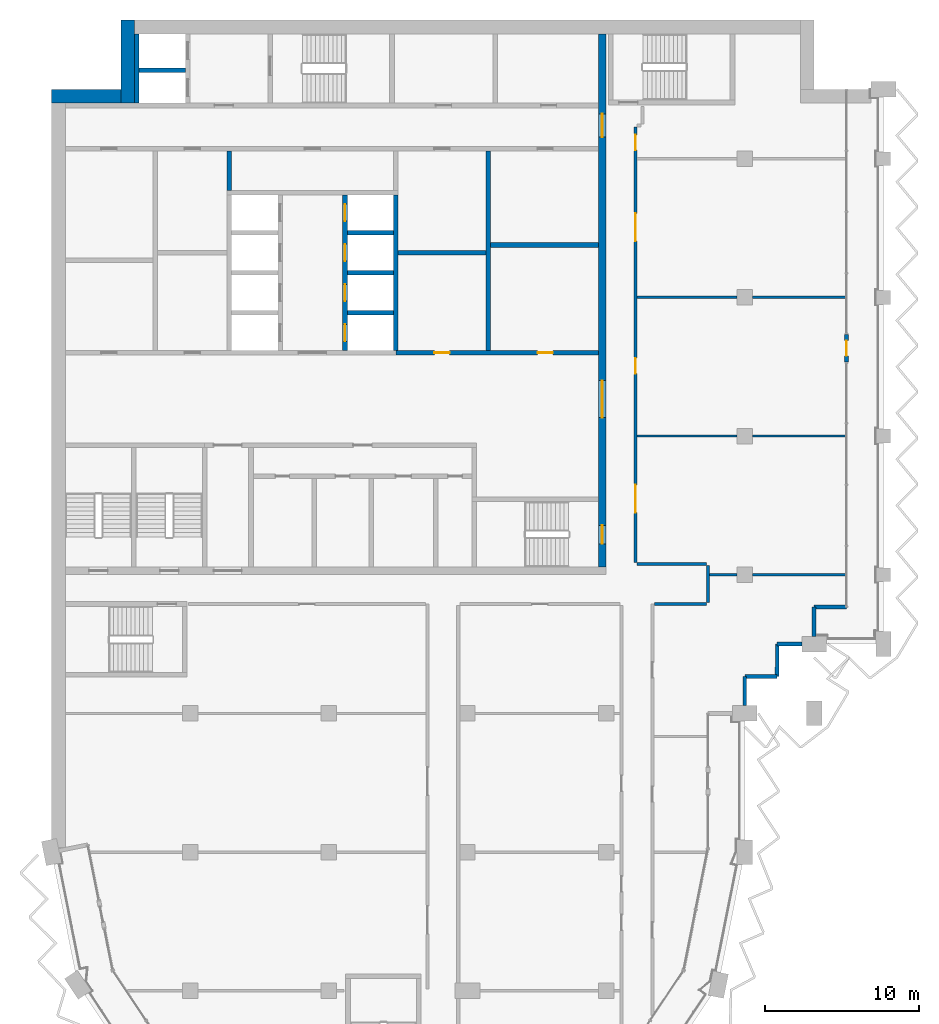
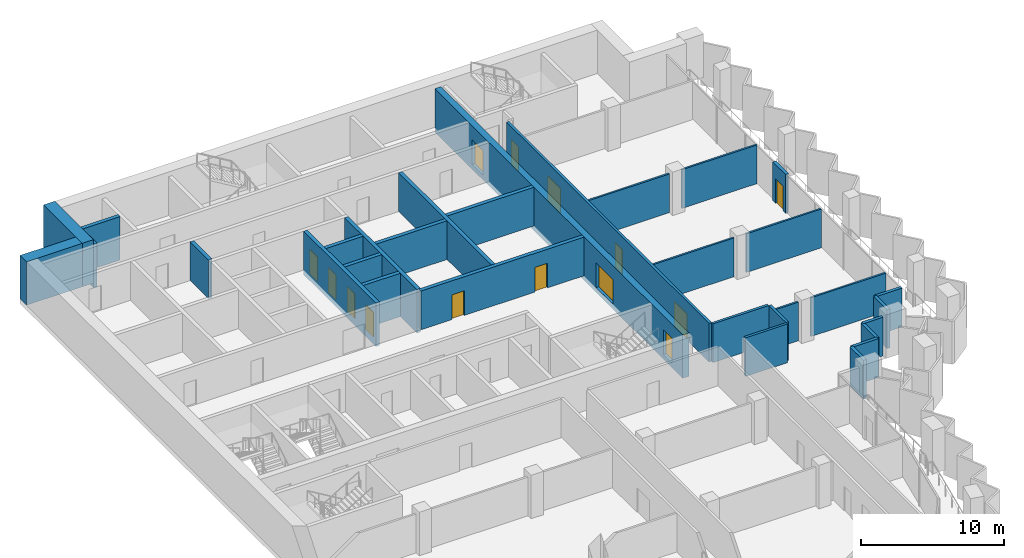
# One storey, part 8 of 15: 32 walls, 14 doors, 14 openings.
"""IFC4 building model written with IfcOpenShell, lengths in metres."""

import ifcopenshell
import ifcopenshell.guid

model = None  # the IFC model being written
_history = None  # IfcOwnerHistory: only IFC2X3 demands one
_inside = {}  # id of a spatial element -> (the spatial element, [elements in it])
_under = {}  # id of a project, library or spatial element -> (it, [spatial elements below it])
_declared = {}  # id of a project -> (the project, [libraries it declares])
_typed = {}  # id of a type object -> (the type object, [elements of that type])
_made_of = {}  # id of a material, layer set ... -> (it, [elements and type objects made of it])


def new_model(schema):
    """Start an empty IFC model of exactly this schema.

    Asked for "IFC4X3", IfcOpenShell would pick the latest addendum, in which some entities
    have other attributes; the version numbers below select the first issue.
    IFC2X3 requires an IfcOwnerHistory on every rooted entity: one is made here for all.
    """
    global model, _history
    if schema == "IFC4X3":
        model = ifcopenshell.file(schema_version=(4, 3, 0, 0))
    else:
        model = ifcopenshell.file(schema=schema)
    _inside.clear()
    _under.clear()
    _declared.clear()
    _typed.clear()
    _made_of.clear()
    _history = None
    if model.schema == "IFC2X3":
        org = make("IfcOrganization", Name="unknown")
        user = make(
            "IfcPersonAndOrganization",
            ThePerson=make("IfcPerson", FamilyName="unknown"),
            TheOrganization=org,
        )
        app = make(
            "IfcApplication",
            ApplicationDeveloper=org,
            Version="unknown",
            ApplicationFullName="unknown",
            ApplicationIdentifier="unknown",
        )
        _history = make(
            "IfcOwnerHistory",
            OwningUser=user,
            OwningApplication=app,
            ChangeAction="ADDED",
            CreationDate=0,
        )
    return model


def make(cls, **values):
    """One entity of the class cls with the attributes given. An attribute that is None is left unset."""
    return model.create_entity(
        cls, **{name: value for name, value in values.items() if value is not None}
    )


def rooted(cls, **values):
    """An entity with a GlobalId (a new one), such as an element, a storey or a relation."""
    return make(cls, GlobalId=ifcopenshell.guid.new(), OwnerHistory=_history, **values)


def si_unit(unit_type, name, prefix=None):
    """IfcSIUnit, for example si_unit("LENGTHUNIT", "METRE", prefix="MILLI")."""
    return make("IfcSIUnit", UnitType=unit_type, Prefix=prefix, Name=name)


def assignment(units):
    """IfcUnitAssignment: the units of a project."""
    return None if units is None else make("IfcUnitAssignment", Units=units)


def point(xyz):
    """IfcCartesianPoint."""
    return None if xyz is None else make("IfcCartesianPoint", Coordinates=xyz)


def direction(xyz):
    """IfcDirection."""
    return None if xyz is None else make("IfcDirection", DirectionRatios=xyz)


def frame(location, z_axis=None, x_axis=None):
    """IfcAxis2Placement3D, a coordinate frame: its origin and axes. An axis left out is left unset."""
    return make(
        "IfcAxis2Placement3D",
        Location=point(location),
        Axis=direction(z_axis),
        RefDirection=direction(x_axis),
    )


def frame_2d(location, x_axis=None):
    """IfcAxis2Placement2D, a coordinate frame in the plane: its origin and x axis."""
    return make(
        "IfcAxis2Placement2D", Location=point(location), RefDirection=direction(x_axis)
    )


def origin():
    """The frame at (0, 0, 0) with its axes left unset."""
    return frame((0.0, 0.0, 0.0))


def place(relative_to, where):
    """IfcLocalPlacement: puts the frame where relative to a parent placement (None: the world)."""
    return make(
        "IfcLocalPlacement", PlacementRelTo=relative_to, RelativePlacement=where
    )


def context(
    kind, dimensions, precision=None, world=None, true_north=None, identifier=None
):
    """IfcGeometricRepresentationContext, for example the 3D "Model" context."""
    return make(
        "IfcGeometricRepresentationContext",
        ContextIdentifier=identifier,
        ContextType=kind,
        CoordinateSpaceDimension=dimensions,
        Precision=precision,
        WorldCoordinateSystem=world,
        TrueNorth=true_north,
    )


def subcontext(parent, identifier, kind, view, scale=None):
    """IfcGeometricRepresentationSubContext, for example "Body" below "Model"."""
    return make(
        "IfcGeometricRepresentationSubContext",
        ContextIdentifier=identifier,
        ContextType=kind,
        ParentContext=parent,
        TargetScale=scale,
        TargetView=view,
    )


def project(units=None, contexts=None):
    """IfcProject with its units and contexts."""
    return rooted(
        "IfcProject",
        Name="project",
        RepresentationContexts=contexts,
        UnitsInContext=assignment(units),
    )


def spatial(cls, under=None, at=None, **own):
    """A site, building, storey or space (cls), placed at a placement, below another one or the project."""
    s = rooted(cls, ObjectPlacement=at, **own)
    if under is not None:
        _under.setdefault(under.id(), (under, []))[1].append(s)
    return s


def profile(cls, at=None, kind="AREA", **sizes):
    """A parametric profile (cls). Its sizes go by their IFC names, for example OverallWidth=200.0."""
    return make(cls, ProfileType=kind, Position=at, **sizes)


def rectangle(**sizes):
    """IfcRectangleProfileDef."""
    return profile("IfcRectangleProfileDef", **sizes)


def extrude(swept, where, along, depth):
    """IfcExtrudedAreaSolid: the profile swept, set in the frame where, extruded along a direction by depth."""
    return make(
        "IfcExtrudedAreaSolid",
        SweptArea=swept,
        Position=where,
        ExtrudedDirection=direction(along),
        Depth=depth,
    )


def shape(context_of_items, identifier, shape_type, items):
    """IfcShapeRepresentation: the items that make up one representation, for example the "Body"."""
    return make(
        "IfcShapeRepresentation",
        ContextOfItems=context_of_items,
        RepresentationIdentifier=identifier,
        RepresentationType=shape_type,
        Items=items,
    )


def material(Name=None, Category=None):
    """IfcMaterial."""
    return make("IfcMaterial", Name=Name, Category=Category)


def layer(
    of_material, thickness, ventilated=None, Name=None, Category=None, Priority=None
):
    """IfcMaterialLayer: one layer of a wall or slab, of a material (None: an air gap)."""
    return make(
        "IfcMaterialLayer",
        Material=of_material,
        LayerThickness=thickness,
        IsVentilated=ventilated,
        Name=Name,
        Category=Category,
        Priority=Priority,
    )


def layer_set(layers, Name=None):
    """IfcMaterialLayerSet."""
    return make("IfcMaterialLayerSet", MaterialLayers=layers, LayerSetName=Name)


def made_of(thing, what):
    """Note that an element or type object is made of a material, layer set ...; save() writes the relation."""
    if what is not None:
        _made_of.setdefault(what.id(), (what, []))[1].append(thing)
    return thing


def type_object(cls, material=None, **own):
    """A type object (cls), such as IfcWallType, which elements share."""
    return made_of(rooted(cls, **own), material)


def element(
    cls,
    number,
    at=None,
    inside=None,
    cuts=None,
    type_object=None,
    material=None,
    context=None,
    identifier="Body",
    shape_type=None,
    held_by="IfcProductDefinitionShape",
    body=None,
    shapes=None,
    **own,
):
    """One element of the class cls, such as IfcWall. Its Tag is "e" and its number.

    at: its placement. inside: the storey or other place that contains it. cuts: it is an
    opening in that element (IfcRelVoidsElement). A single representation is given by context,
    identifier, shape_type and body (its items); several are given by shapes. held_by: the class
    of the entity that holds the representations. save() writes the other relations.
    """
    e = rooted(cls, Tag="e%d" % number, ObjectPlacement=at, **own)
    if body is not None:
        shapes = [shape(context, identifier, shape_type, body)]
    if shapes is not None:
        e.Representation = make(held_by, Representations=shapes)
    if inside is not None:
        _inside.setdefault(inside.id(), (inside, []))[1].append(e)
    if cuts is not None:
        rooted(
            "IfcRelVoidsElement", RelatingBuildingElement=cuts, RelatedOpeningElement=e
        )
    if type_object is not None:
        _typed.setdefault(type_object.id(), (type_object, []))[1].append(e)
    return made_of(e, material)


def fill(opening, filler):
    """IfcRelFillsElement: the door or window that sits in an opening."""
    return rooted(
        "IfcRelFillsElement",
        RelatingOpeningElement=opening,
        RelatedBuildingElement=filler,
    )


def aggregate(whole, parts):
    """IfcRelAggregates: a whole, such as a stair, and the parts it consists of."""
    return rooted("IfcRelAggregates", RelatingObject=whole, RelatedObjects=parts)


def save(model, path):
    """Write the relations noted so far, then the file.

    IfcRelAggregates (storeys below a building ...), IfcRelContainedInSpatialStructure (elements
    in a storey), IfcRelDefinesByType, IfcRelAssociatesMaterial and IfcRelDeclares: one each for
    every whole, place, type object, material and project.
    """
    for whole, parts in _under.values():
        aggregate(whole, parts)
    for where, things in _inside.values():
        rooted(
            "IfcRelContainedInSpatialStructure",
            RelatedElements=things,
            RelatingStructure=where,
        )
    for kind, things in _typed.values():
        rooted("IfcRelDefinesByType", RelatedObjects=things, RelatingType=kind)
    for what, things in _made_of.values():
        rooted("IfcRelAssociatesMaterial", RelatedObjects=things, RelatingMaterial=what)
    for by, libraries in _declared.values():
        rooted("IfcRelDeclares", RelatingContext=by, RelatedDefinitions=libraries)
    model.write(path)


model = new_model("IFC4")

# Units and contexts
model_context = context("Model", 3, precision=1e-05, world=origin(), true_north=direction((0.0, 1.0)))
body_context = subcontext(model_context, "Body", "Model", "MODEL_VIEW")
ifc_project = project(units=[si_unit("LENGTHUNIT", "METRE"), si_unit("AREAUNIT", "SQUARE_METRE"), si_unit("VOLUMEUNIT", "CUBIC_METRE"), si_unit("PLANEANGLEUNIT", "RADIAN"), si_unit("MASSUNIT", "GRAM", prefix="KILO")], contexts=[model_context])

# Site, building, storey
site_placement = place(None, origin())
site = spatial("IfcSite", under=ifc_project, at=site_placement, CompositionType="ELEMENT")
building_placement = place(site_placement, origin())
building = spatial("IfcBuilding", under=site, at=building_placement, Name="Hunhe Ridgeline Campus", CompositionType="ELEMENT")
storey_placement = place(building_placement, frame((0.0, 0.0, 231.800048828125)))
storey = spatial("IfcBuildingStorey", under=building, at=storey_placement, Name="L59", CompositionType="ELEMENT", Elevation=231.800048828125)

# Wall, openings, doors
ifc_material_1 = material(Name="Masonry concrete blockwork", Category="masonry")
ifc_layer_1 = layer(ifc_material_1, 0.300048828125)
ifc_layer_set_1 = layer_set([ifc_layer_1], Name="Core room partition 300 concrete block")
wall_type_1 = type_object("IfcWallType", Name="Core room partition 300 concrete block", PredefinedType="PARTITIONING", material=ifc_layer_set_1)
wall_1_placement = place(storey_placement, frame((22.35009765625, 77.39990234375, 0.0), z_axis=(0.0, 0.0, 1.0), x_axis=(1.0, 0.0, 0.0)))
wall_1 = element("IfcWall", 1, at=wall_1_placement, inside=storey, type_object=wall_type_1, Name="L59 core partition 11", PredefinedType="PARTITIONING", context=body_context, shape_type="SweptSolid", body=[
    extrude(rectangle(XDim=13.14990234375, YDim=0.300048828125, at=frame_2d((6.574951171875, 0.0))), origin(), (0.0, 0.0, 1.0), 3.300048828125),
])
opening_1_placement = place(wall_1_placement, frame((2.5, 0.0, 0.0)))
opening_1 = element("IfcOpeningElement", 2, at=opening_1_placement, cuts=wall_1, Name="Opening CD32", PredefinedType="OPENING", context=body_context, shape_type="SweptSolid", body=[
    extrude(rectangle(XDim=1.0, YDim=2.10009765625, at=frame_2d((0.5, 1.050048828125))), frame((0.0, 0.14990234375, 0.0), z_axis=(0.0, -1.0, 0.0), x_axis=(1.0, 0.0, 0.0)), (0.0, 0.0, 1.0), 0.300048828125),
])
opening_2_placement = place(wall_1_placement, frame((9.199951171875, 0.0, 0.0)))
opening_2 = element("IfcOpeningElement", 3, at=opening_2_placement, cuts=wall_1, Name="Opening CD42", PredefinedType="OPENING", context=body_context, shape_type="SweptSolid", body=[
    extrude(rectangle(XDim=1.0, YDim=2.10009765625, at=frame_2d((0.5, 1.050048828125))), frame((0.0, 0.14990234375, 0.0), z_axis=(0.0, -1.0, 0.0), x_axis=(1.0, 0.0, 0.0)), (0.0, 0.0, 1.0), 0.300048828125),
])
ifc_material_2 = material(Name="Solid core timber door leaf", Category="wood")
door_type_1 = type_object("IfcDoorType", Name="Timber door 1000x2100", OperationType="SINGLE_SWING_LEFT", PredefinedType="DOOR", material=ifc_material_2)
door_1_placement = place(opening_1_placement, origin())
door_1 = element("IfcDoor", 4, at=door_1_placement, inside=storey, type_object=door_type_1, Name="L59 door ES0", OperationType="SINGLE_SWING_LEFT", OverallHeight=2.10009765625, OverallWidth=1.0, PredefinedType="DOOR", context=body_context, shape_type="SweptSolid", body=[
    extrude(rectangle(XDim=1.0, YDim=2.10009765625, at=frame_2d((0.5, 1.050048828125))), frame((0.0, 0.02490234375, 0.0), z_axis=(0.0, -1.0, 0.0), x_axis=(1.0, 0.0, 0.0)), (0.0, 0.0, 1.0), 0.050048828125),
])
fill(opening_1, door_1)
door_2_placement = place(opening_2_placement, origin())
door_2 = element("IfcDoor", 5, at=door_2_placement, inside=storey, type_object=door_type_1, Name="L59 door ES2", OperationType="SINGLE_SWING_LEFT", OverallHeight=2.10009765625, OverallWidth=1.0, PredefinedType="DOOR", context=body_context, shape_type="SweptSolid", body=[
    extrude(rectangle(XDim=1.0, YDim=2.10009765625, at=frame_2d((0.5, 1.050048828125))), frame((0.0, 0.02490234375, 0.0), z_axis=(0.0, -1.0, 0.0), x_axis=(1.0, 0.0, 0.0)), (0.0, 0.0, 1.0), 0.050048828125),
])
fill(opening_2, door_2)

# Walls
wall_2_placement = place(storey_placement, frame((22.5, 83.89990234375, 0.0), z_axis=(0.0, 0.0, 1.0), x_axis=(1.0, 0.0, 0.0)))
element("IfcWall", 6, at=wall_2_placement, inside=storey, type_object=wall_type_1, Name="L59 core partition 18", PredefinedType="PARTITIONING", context=body_context, shape_type="SweptSolid", body=[
    extrude(rectangle(XDim=5.699951171875, YDim=0.300048828125, at=frame_2d((2.85009765625, 0.0))), origin(), (0.0, 0.0, 1.0), 3.300048828125),
])
wall_3_placement = place(storey_placement, frame((28.5, 84.39990234375, 0.0), z_axis=(0.0, 0.0, 1.0), x_axis=(1.0, 0.0, 0.0)))
element("IfcWall", 7, at=wall_3_placement, inside=storey, type_object=wall_type_1, Name="L59 core partition 19", PredefinedType="PARTITIONING", context=body_context, shape_type="SweptSolid", body=[
    extrude(rectangle(XDim=7.0, YDim=0.300048828125, at=frame_2d((3.5, 0.0))), origin(), (0.0, 0.0, 1.0), 3.300048828125),
])
wall_4_placement = place(storey_placement, frame((11.550048828125, 87.949951171875, 0.0), z_axis=(0.0, 0.0, 1.0), x_axis=(0.0, 1.0, 0.0)))
element("IfcWall", 8, at=wall_4_placement, inside=storey, type_object=wall_type_1, Name="L59 core partition 34", PredefinedType="PARTITIONING", context=body_context, shape_type="SweptSolid", body=[
    extrude(rectangle(XDim=2.550048828125, YDim=0.300048828125, at=frame_2d((1.27490234375, 0.0))), origin(), (0.0, 0.0, 1.0), 3.300048828125),
])
wall_5_placement = place(storey_placement, frame((28.35009765625, 77.550048828125, 0.0), z_axis=(0.0, 0.0, 1.0), x_axis=(0.0, 1.0, 0.0)))
element("IfcWall", 9, at=wall_5_placement, inside=storey, type_object=wall_type_1, Name="L59 core partition 49", PredefinedType="PARTITIONING", context=body_context, shape_type="SweptSolid", body=[
    extrude(rectangle(XDim=12.949951171875, YDim=0.300048828125, at=frame_2d((6.47509765625, 0.0))), origin(), (0.0, 0.0, 1.0), 3.300048828125),
])

# Wall, openings, doors
ifc_material_3 = material(Name="Concrete C50", Category="concrete")
ifc_layer_2 = layer(ifc_material_3, 0.5)
ifc_layer_set_2 = layer_set([ifc_layer_2], Name="Core wall 500 reinforced concrete C50")
wall_type_2 = type_object("IfcWallType", Name="Core wall 500 reinforced concrete C50", PredefinedType="SOLIDWALL", material=ifc_layer_set_2)
wall_6_placement = place(storey_placement, frame((35.75, 63.5, -0.400146484375), z_axis=(0.0, 0.0, 1.0), x_axis=(0.0, 1.0, 0.0)))
wall_6 = element("IfcWall", 10, at=wall_6_placement, inside=storey, type_object=wall_type_2, Name="L59 core wall 51", PredefinedType="SOLIDWALL", context=body_context, shape_type="SweptSolid", body=[
    extrude(rectangle(XDim=34.60009765625, YDim=0.5, at=frame_2d((17.300048828125, 0.0))), origin(), (0.0, 0.0, 1.0), 3.7001953125),
])
opening_3_placement = place(wall_6_placement, frame((9.699951171875, 0.0, 0.39990234375)))
opening_3 = element("IfcOpeningElement", 11, at=opening_3_placement, cuts=wall_6, Name="Opening CD4", PredefinedType="OPENING", context=body_context, shape_type="SweptSolid", body=[
    extrude(rectangle(XDim=2.39990234375, YDim=2.10009765625, at=frame_2d((1.199951171875, 1.050048828125))), frame((0.0, 0.25, 0.0), z_axis=(0.0, -1.0, 0.0), x_axis=(1.0, 0.0, 0.0)), (0.0, 0.0, 1.0), 0.5),
])
opening_4_placement = place(wall_6_placement, frame((27.89990234375, 0.0, 0.39990234375)))
opening_4 = element("IfcOpeningElement", 12, at=opening_4_placement, cuts=wall_6, Name="Opening CD5", PredefinedType="OPENING", context=body_context, shape_type="SweptSolid", body=[
    extrude(rectangle(XDim=1.5, YDim=2.10009765625, at=frame_2d((0.75, 1.050048828125))), frame((0.0, 0.25, 0.0), z_axis=(0.0, -1.0, 0.0), x_axis=(1.0, 0.0, 0.0)), (0.0, 0.0, 1.0), 0.5),
])
opening_5_placement = place(wall_6_placement, frame((1.5, 0.0, 0.39990234375)))
opening_5 = element("IfcOpeningElement", 13, at=opening_5_placement, cuts=wall_6, Name="Opening CD15", PredefinedType="OPENING", context=body_context, shape_type="SweptSolid", body=[
    extrude(rectangle(XDim=1.199951171875, YDim=2.10009765625, at=frame_2d((0.60009765625, 1.050048828125))), frame((0.0, 0.25, 0.0), z_axis=(0.0, -1.0, 0.0), x_axis=(1.0, 0.0, 0.0)), (0.0, 0.0, 1.0), 0.5),
])
ifc_material_4 = material(Name="Anodised aluminium and glass", Category="aluminium")
door_type_2 = type_object("IfcDoorType", Name="Glazed double door 2400x2100", OperationType="DOUBLE_DOOR_SINGLE_SWING", PredefinedType="DOOR", material=ifc_material_4)
door_3_placement = place(opening_3_placement, frame((2.39990234375, 0.0, 0.0), z_axis=(0.0, 0.0, 1.0), x_axis=(-1.0, 0.0, 0.0)))
door_3 = element("IfcDoor", 14, at=door_3_placement, inside=storey, type_object=door_type_2, Name="L59 door HALL-FLOOR", OperationType="DOUBLE_DOOR_SINGLE_SWING", OverallHeight=2.10009765625, OverallWidth=2.39990234375, PredefinedType="DOOR", context=body_context, shape_type="SweptSolid", body=[
    extrude(rectangle(XDim=2.39990234375, YDim=2.10009765625, at=frame_2d((1.199951171875, 1.050048828125))), frame((0.0, 0.02490234375, 0.0), z_axis=(0.0, -1.0, 0.0), x_axis=(1.0, 0.0, 0.0)), (0.0, 0.0, 1.0), 0.050048828125),
])
fill(opening_3, door_3)
ifc_material_5 = material(Name="Hollow metal fire door leaf")
door_type_3 = type_object("IfcDoorType", Name="Stair door 1200x2100 FD60", OperationType="SINGLE_SWING_LEFT", PredefinedType="DOOR", material=ifc_material_5)
door_4_placement = place(opening_5_placement, frame((1.199951171875, 0.0, 0.0), z_axis=(0.0, 0.0, 1.0), x_axis=(-1.0, 0.0, 0.0)))
door_4 = element("IfcDoor", 15, at=door_4_placement, inside=storey, type_object=door_type_3, Name="L59 door S2-FLOOR", OperationType="SINGLE_SWING_LEFT", OverallHeight=2.10009765625, OverallWidth=1.199951171875, PredefinedType="DOOR", context=body_context, shape_type="SweptSolid", body=[
    extrude(rectangle(XDim=1.199951171875, YDim=2.10009765625, at=frame_2d((0.60009765625, 1.050048828125))), frame((0.0, 0.02490234375, 0.0), z_axis=(0.0, -1.0, 0.0), x_axis=(1.0, 0.0, 0.0)), (0.0, 0.0, 1.0), 0.050048828125),
])
fill(opening_5, door_4)
door_type_4 = type_object("IfcDoorType", Name="Timber door 1500x2100", OperationType="SINGLE_SWING_LEFT", PredefinedType="DOOR", material=ifc_material_2)
door_5_placement = place(opening_4_placement, frame((1.5, 0.0, 0.0), z_axis=(0.0, 0.0, 1.0), x_axis=(-1.0, 0.0, 0.0)))
door_5 = element("IfcDoor", 16, at=door_5_placement, inside=storey, type_object=door_type_4, Name="L59 door C1-FLOOR", OperationType="SINGLE_SWING_LEFT", OverallHeight=2.10009765625, OverallWidth=1.5, PredefinedType="DOOR", context=body_context, shape_type="SweptSolid", body=[
    extrude(rectangle(XDim=1.5, YDim=2.10009765625, at=frame_2d((0.75, 1.050048828125))), frame((0.0, 0.02490234375, 0.0), z_axis=(0.0, -1.0, 0.0), x_axis=(1.0, 0.0, 0.0)), (0.0, 0.0, 1.0), 0.050048828125),
])
fill(opening_4, door_5)

# Walls
ifc_material_6 = material(Name="Concrete C30", Category="concrete")
ifc_layer_3 = layer(ifc_material_6, 0.25)
ifc_layer_set_3 = layer_set([ifc_layer_3], Name="Corner return wall 250 Concrete C30")
wall_type_3 = type_object("IfcWallType", Name="Corner return wall 250 Concrete C30", PredefinedType="SOLIDWALL", material=ifc_layer_set_3)
wall_7_placement = place(storey_placement, frame((44.9990234375, 54.5, 0.0), z_axis=(0.0, 0.0, 1.0), x_axis=(0.000128452151, 0.99999999175, 0.0)))
element("IfcWall", 17, at=wall_7_placement, inside=storey, type_object=wall_type_3, Name="Corner return wall 3", PredefinedType="SOLIDWALL", context=body_context, shape_type="SweptSolid", body=[
    extrude(rectangle(XDim=1.900634765625, YDim=0.25, at=frame_2d((0.9501953125, 0.0))), origin(), (0.0, 0.0, 1.0), 3.300048828125),
])
wall_8_placement = place(storey_placement, frame((44.999267578125, 56.400634765625, 0.0), z_axis=(0.0, 0.0, 1.0), x_axis=(0.999999993241, 0.00011626555, 0.0)))
element("IfcWall", 18, at=wall_8_placement, inside=storey, type_object=wall_type_3, Name="Corner return wall 4", PredefinedType="SOLIDWALL", context=body_context, shape_type="SweptSolid", body=[
    extrude(rectangle(XDim=2.099853515625, YDim=0.25, at=frame_2d((1.0498046875, 0.0))), origin(), (0.0, 0.0, 1.0), 3.300048828125),
])
wall_9_placement = place(storey_placement, frame((47.09912109375, 56.40087890625, 0.0), z_axis=(0.0, 0.0, 1.0), x_axis=(0.000232504063, 0.999999972971, 0.0)))
element("IfcWall", 19, at=wall_9_placement, inside=storey, type_object=wall_type_3, Name="Corner return wall 5", PredefinedType="SOLIDWALL", context=body_context, shape_type="SweptSolid", body=[
    extrude(rectangle(XDim=2.10009765625, YDim=0.25, at=frame_2d((1.050048828125, 0.0))), origin(), (0.0, 0.0, 1.0), 3.300048828125),
])
wall_10_placement = place(storey_placement, frame((47.099609375, 58.5009765625, 0.0), z_axis=(0.0, 0.0, 1.0), x_axis=(1.0, 0.0, 0.0)))
element("IfcWall", 20, at=wall_10_placement, inside=storey, type_object=wall_type_3, Name="Corner return wall 6", PredefinedType="SOLIDWALL", context=body_context, shape_type="SweptSolid", body=[
    extrude(rectangle(XDim=1.600341796875, YDim=0.25, at=frame_2d((0.80029296875, 0.0))), origin(), (0.0, 0.0, 1.0), 3.300048828125),
])
wall_11_placement = place(storey_placement, frame((49.4990234375, 59.0, 0.0), z_axis=(0.0, 0.0, 1.0), x_axis=(0.000256871299, 0.999999967009, 0.0)))
element("IfcWall", 21, at=wall_11_placement, inside=storey, type_object=wall_type_3, Name="Corner return wall 7", PredefinedType="SOLIDWALL", context=body_context, shape_type="SweptSolid", body=[
    extrude(rectangle(XDim=1.90087890625, YDim=0.25, at=frame_2d((0.950439453125, 0.0))), origin(), (0.0, 0.0, 1.0), 3.300048828125),
])
wall_12_placement = place(storey_placement, frame((49.49951171875, 60.90087890625, 0.0), z_axis=(0.0, 0.0, 1.0), x_axis=(1.0, 0.0, 0.0)))
element("IfcWall", 22, at=wall_12_placement, inside=storey, type_object=wall_type_3, Name="Corner return wall 8", PredefinedType="SOLIDWALL", context=body_context, shape_type="SweptSolid", body=[
    extrude(rectangle(XDim=2.099609375, YDim=0.25, at=frame_2d((1.0498046875, 0.0))), origin(), (0.0, 0.0, 1.0), 3.300048828125),
])
ifc_material_7 = material(Name="Gypsum board partition")
ifc_layer_4 = layer(ifc_material_7, 0.199951171875)
ifc_layer_set_4 = layer_set([ifc_layer_4], Name="Corridor partition 200 gypsum board on steel studs")
wall_type_4 = type_object("IfcWallType", Name="Corridor partition 200 gypsum board on steel studs", PredefinedType="PARTITIONING", material=ifc_layer_set_4)
wall_13_placement = place(storey_placement, frame((42.5, 61.10009765625, 0.0), z_axis=(0.0, 0.0, 1.0), x_axis=(-1.0, 0.0, 0.0)))
element("IfcWall", 23, at=wall_13_placement, inside=storey, type_object=wall_type_4, Name="F-L59-wall-021", PredefinedType="PARTITIONING", context=body_context, shape_type="SweptSolid", body=[
    extrude(rectangle(XDim=3.36865234375, YDim=0.199951171875, at=frame_2d((1.684326171875, 0.0))), origin(), (0.0, 0.0, 1.0), 3.300048828125),
])
wall_14_placement = place(storey_placement, frame((38.0, 63.699951171875, 0.0), z_axis=(0.0, 0.0, 1.0), x_axis=(1.0, 0.0, 0.0)))
element("IfcWall", 24, at=wall_14_placement, inside=storey, type_object=wall_type_4, Name="F-L59-wall-024", PredefinedType="PARTITIONING", context=body_context, shape_type="SweptSolid", body=[
    extrude(rectangle(XDim=4.5, YDim=0.199951171875, at=frame_2d((2.25, 0.0))), origin(), (0.0, 0.0, 1.0), 3.300048828125),
])

# Wall, openings, doors
wall_15_placement = place(storey_placement, frame((37.89990234375, 92.050048828125, 0.0), z_axis=(0.0, 0.0, 1.0), x_axis=(0.0, -1.0, 0.0)))
wall_15 = element("IfcWall", 25, at=wall_15_placement, inside=storey, type_object=wall_type_4, Name="F-L59-wall-038", PredefinedType="PARTITIONING", context=body_context, shape_type="SweptSolid", body=[
    extrude(rectangle(XDim=28.25, YDim=0.199951171875, at=frame_2d((14.125, 0.0))), origin(), (0.0, 0.0, 1.0), 3.300048828125),
])
opening_6_placement = place(wall_15_placement, frame((23.22509765625, 0.0, 0.0)))
opening_6 = element("IfcOpeningElement", 26, at=opening_6_placement, cuts=wall_15, Name="Opening RD2-013", PredefinedType="OPENING", context=body_context, shape_type="SweptSolid", body=[
    extrude(rectangle(XDim=1.800048828125, YDim=2.10009765625, at=frame_2d((0.89990234375, 1.050048828125))), frame((0.0, 0.10009765625, 0.0), z_axis=(0.0, -1.0, 0.0), x_axis=(1.0, 0.0, 0.0)), (0.0, 0.0, 1.0), 0.199951171875),
])
opening_7_placement = place(wall_15_placement, frame((15.0, 0.0, 0.0)))
opening_7 = element("IfcOpeningElement", 27, at=opening_7_placement, cuts=wall_15, Name="Opening RD1-014", PredefinedType="OPENING", context=body_context, shape_type="SweptSolid", body=[
    extrude(rectangle(XDim=1.0, YDim=2.10009765625, at=frame_2d((0.5, 1.050048828125))), frame((0.0, 0.10009765625, 0.0), z_axis=(0.0, -1.0, 0.0), x_axis=(1.0, 0.0, 0.0)), (0.0, 0.0, 1.0), 0.199951171875),
])
opening_8_placement = place(wall_15_placement, frame((5.60009765625, 0.0, 0.0)))
opening_8 = element("IfcOpeningElement", 28, at=opening_8_placement, cuts=wall_15, Name="Opening RD2-015", PredefinedType="OPENING", context=body_context, shape_type="SweptSolid", body=[
    extrude(rectangle(XDim=1.800048828125, YDim=2.10009765625, at=frame_2d((0.89990234375, 1.050048828125))), frame((0.0, 0.10009765625, 0.0), z_axis=(0.0, -1.0, 0.0), x_axis=(1.0, 0.0, 0.0)), (0.0, 0.0, 1.0), 0.199951171875),
])
opening_9_placement = place(wall_15_placement, frame((0.5, 0.0, 0.0)))
opening_9 = element("IfcOpeningElement", 29, at=opening_9_placement, cuts=wall_15, Name="Opening RD1-016", PredefinedType="OPENING", context=body_context, shape_type="SweptSolid", body=[
    extrude(rectangle(XDim=1.0, YDim=2.10009765625, at=frame_2d((0.5, 1.050048828125))), frame((0.0, 0.10009765625, 0.0), z_axis=(0.0, -1.0, 0.0), x_axis=(1.0, 0.0, 0.0)), (0.0, 0.0, 1.0), 0.199951171875),
])
ifc_material_8 = material(Name="Timber door leaf", Category="wood")
door_type_5 = type_object("IfcDoorType", Name="Double fire door 1800x2100 timber FD60", OperationType="DOUBLE_DOOR_SINGLE_SWING", PredefinedType="DOOR", material=ifc_material_8)
door_6_placement = place(opening_6_placement, origin())
door_6 = element("IfcDoor", 30, at=door_6_placement, inside=storey, type_object=door_type_5, Name="F-L59-door-013", OperationType="DOUBLE_DOOR_SINGLE_SWING", OverallHeight=2.10009765625, OverallWidth=1.800048828125, PredefinedType="DOOR", context=body_context, shape_type="SweptSolid", body=[
    extrude(rectangle(XDim=1.800048828125, YDim=2.10009765625, at=frame_2d((0.89990234375, 1.050048828125))), frame((0.0, 0.02490234375, 0.0), z_axis=(0.0, -1.0, 0.0), x_axis=(1.0, 0.0, 0.0)), (0.0, 0.0, 1.0), 0.050048828125),
])
fill(opening_6, door_6)
door_7_placement = place(opening_8_placement, origin())
door_7 = element("IfcDoor", 31, at=door_7_placement, inside=storey, type_object=door_type_5, Name="F-L59-door-015", OperationType="DOUBLE_DOOR_SINGLE_SWING", OverallHeight=2.10009765625, OverallWidth=1.800048828125, PredefinedType="DOOR", context=body_context, shape_type="SweptSolid", body=[
    extrude(rectangle(XDim=1.800048828125, YDim=2.10009765625, at=frame_2d((0.89990234375, 1.050048828125))), frame((0.0, 0.02490234375, 0.0), z_axis=(0.0, -1.0, 0.0), x_axis=(1.0, 0.0, 0.0)), (0.0, 0.0, 1.0), 0.050048828125),
])
fill(opening_8, door_7)
door_type_6 = type_object("IfcDoorType", Name="Single fire door 1000x2100 timber FD60", OperationType="NOTDEFINED", PredefinedType="DOOR", material=ifc_material_8)
door_8_placement = place(opening_7_placement, origin())
door_8 = element("IfcDoor", 32, at=door_8_placement, inside=storey, type_object=door_type_6, Name="F-L59-door-014", OperationType="SINGLE_SWING_LEFT", OverallHeight=2.10009765625, OverallWidth=1.0, PredefinedType="DOOR", context=body_context, shape_type="SweptSolid", body=[
    extrude(rectangle(XDim=1.0, YDim=2.10009765625, at=frame_2d((0.5, 1.050048828125))), frame((0.0, 0.02490234375, 0.0), z_axis=(0.0, -1.0, 0.0), x_axis=(1.0, 0.0, 0.0)), (0.0, 0.0, 1.0), 0.050048828125),
])
fill(opening_7, door_8)
door_9_placement = place(opening_9_placement, origin())
door_9 = element("IfcDoor", 33, at=door_9_placement, inside=storey, type_object=door_type_6, Name="F-L59-door-016", OperationType="SINGLE_SWING_LEFT", OverallHeight=2.10009765625, OverallWidth=1.0, PredefinedType="DOOR", context=body_context, shape_type="SweptSolid", body=[
    extrude(rectangle(XDim=1.0, YDim=2.10009765625, at=frame_2d((0.5, 1.050048828125))), frame((0.0, 0.02490234375, 0.0), z_axis=(0.0, -1.0, 0.0), x_axis=(1.0, 0.0, 0.0)), (0.0, 0.0, 1.0), 0.050048828125),
])
fill(opening_9, door_9)

# Wall
wall_16_placement = place(storey_placement, frame((42.60009765625, 63.60009765625, 0.0), z_axis=(0.0, 0.0, 1.0), x_axis=(0.0, -1.0, 0.0)))
element("IfcWall", 34, at=wall_16_placement, inside=storey, type_object=wall_type_4, Name="F-L59-wall-041", PredefinedType="PARTITIONING", context=body_context, shape_type="SweptSolid", body=[
    extrude(rectangle(XDim=2.400146484375, YDim=0.199951171875, at=frame_2d((1.2001953125, 0.0))), origin(), (0.0, 0.0, 1.0), 3.300048828125),
])

# Wall, opening, door
ifc_layer_5 = layer(ifc_material_6, 0.25)
ifc_layer_set_5 = layer_set([ifc_layer_5], Name="Loggia door pier wall 250 Concrete C30")
wall_type_5 = type_object("IfcWallType", Name="Loggia door pier wall 250 Concrete C30", PredefinedType="SOLIDWALL", material=ifc_layer_set_5)
wall_17_placement = place(storey_placement, frame((51.59912109375, 76.800537109375, 0.0), z_axis=(0.0, 0.0, 1.0), x_axis=(0.0, 1.0, 0.0)))
wall_17 = element("IfcWall", 35, at=wall_17_placement, inside=storey, type_object=wall_type_5, Name="Loggia door pier 4", PredefinedType="SOLIDWALL", context=body_context, shape_type="SweptSolid", body=[
    extrude(rectangle(XDim=1.800048828125, YDim=0.25, at=frame_2d((0.89990234375, 0.0))), origin(), (0.0, 0.0, 1.0), 3.300048828125),
])
opening_10_placement = place(wall_17_placement, frame((0.39990234375, 0.0, 0.0)))
opening_10 = element("IfcOpeningElement", 36, at=opening_10_placement, cuts=wall_17, Name="Opening BD506", PredefinedType="OPENING", context=body_context, shape_type="SweptSolid", body=[
    extrude(rectangle(XDim=1.0, YDim=2.10009765625, at=frame_2d((0.5, 1.050048828125))), frame((0.0, 0.125, 0.0), z_axis=(0.0, -1.0, 0.0), x_axis=(1.0, 0.0, 0.0)), (0.0, 0.0, 1.0), 0.25),
])
ifc_material_9 = material(Name="Aluminium 6063", Category="aluminium")
door_type_7 = type_object("IfcDoorType", Name="Loggia glazed door 1000x2100", OperationType="NOTDEFINED", PredefinedType="DOOR", material=ifc_material_9)
door_10_placement = place(opening_10_placement, frame((1.0, 0.0, 0.0), z_axis=(0.0, 0.0, 1.0), x_axis=(-1.0, 0.0, 0.0)))
door_10 = element("IfcDoor", 37, at=door_10_placement, inside=storey, type_object=door_type_7, Name="Loggia door BD506", OperationType="SINGLE_SWING_LEFT", OverallHeight=2.10009765625, OverallWidth=1.0, PredefinedType="DOOR", context=body_context, shape_type="SweptSolid", body=[
    extrude(rectangle(XDim=1.0, YDim=2.10009765625, at=frame_2d((0.5, 1.050048828125))), frame((0.0, 0.02490234375, 0.0), z_axis=(0.0, -1.0, 0.0), x_axis=(1.0, 0.0, 0.0)), (0.0, 0.0, 1.0), 0.050048828125),
])
fill(opening_10, door_10)

# Walls
ifc_layer_6 = layer(ifc_material_7, 0.14990234375)
ifc_layer_set_6 = layer_set([ifc_layer_6], Name="Room partition 150 gypsum board on steel studs")
wall_type_6 = type_object("IfcWallType", Name="Room partition 150 gypsum board on steel studs", PredefinedType="PARTITIONING", material=ifc_layer_set_6)
wall_18_placement = place(storey_placement, frame((42.699951171875, 63.0, 0.0), z_axis=(0.0, 0.0, 1.0), x_axis=(1.0, 0.0, 0.0)))
element("IfcWall", 38, at=wall_18_placement, inside=storey, type_object=wall_type_6, Name="F-L59-wall-022", PredefinedType="PARTITIONING", context=body_context, shape_type="SweptSolid", body=[
    extrude(rectangle(XDim=1.800048828125, YDim=0.14990234375, at=frame_2d((0.89990234375, 0.0))), origin(), (0.0, 0.0, 1.0), 3.300048828125),
])
wall_19_placement = place(storey_placement, frame((45.5, 63.0, 0.0), z_axis=(0.0, 0.0, 1.0), x_axis=(1.0, 0.0, 0.0)))
element("IfcWall", 39, at=wall_19_placement, inside=storey, type_object=wall_type_6, Name="F-L59-wall-023", PredefinedType="PARTITIONING", context=body_context, shape_type="SweptSolid", body=[
    extrude(rectangle(XDim=6.044921875, YDim=0.14990234375, at=frame_2d((3.0224609375, 0.0))), origin(), (0.0, 0.0, 1.0), 3.300048828125),
])
wall_20_placement = place(storey_placement, frame((38.0, 72.0, 0.0), z_axis=(0.0, 0.0, 1.0), x_axis=(1.0, 0.0, 0.0)))
element("IfcWall", 40, at=wall_20_placement, inside=storey, type_object=wall_type_6, Name="F-L59-wall-025", PredefinedType="PARTITIONING", context=body_context, shape_type="SweptSolid", body=[
    extrude(rectangle(XDim=6.5, YDim=0.14990234375, at=frame_2d((3.25, 0.0))), origin(), (0.0, 0.0, 1.0), 3.300048828125),
])
wall_21_placement = place(storey_placement, frame((45.5, 72.0, 0.0), z_axis=(0.0, 0.0, 1.0), x_axis=(1.0, 0.0, 0.0)))
element("IfcWall", 41, at=wall_21_placement, inside=storey, type_object=wall_type_6, Name="F-L59-wall-026", PredefinedType="PARTITIONING", context=body_context, shape_type="SweptSolid", body=[
    extrude(rectangle(XDim=6.044921875, YDim=0.14990234375, at=frame_2d((3.0224609375, 0.0))), origin(), (0.0, 0.0, 1.0), 3.300048828125),
])
wall_22_placement = place(storey_placement, frame((38.0, 81.0, 0.0), z_axis=(0.0, 0.0, 1.0), x_axis=(1.0, 0.0, 0.0)))
element("IfcWall", 42, at=wall_22_placement, inside=storey, type_object=wall_type_6, Name="F-L59-wall-027", PredefinedType="PARTITIONING", context=body_context, shape_type="SweptSolid", body=[
    extrude(rectangle(XDim=6.5, YDim=0.14990234375, at=frame_2d((3.25, 0.0))), origin(), (0.0, 0.0, 1.0), 3.300048828125),
])
wall_23_placement = place(storey_placement, frame((45.5, 81.0, 0.0), z_axis=(0.0, 0.0, 1.0), x_axis=(1.0, 0.0, 0.0)))
element("IfcWall", 43, at=wall_23_placement, inside=storey, type_object=wall_type_6, Name="F-L59-wall-028", PredefinedType="PARTITIONING", context=body_context, shape_type="SweptSolid", body=[
    extrude(rectangle(XDim=6.044921875, YDim=0.14990234375, at=frame_2d((3.0224609375, 0.0))), origin(), (0.0, 0.0, 1.0), 3.300048828125),
])
ifc_layer_7 = layer(ifc_material_3, 0.300048828125)
ifc_layer_set_7 = layer_set([ifc_layer_7], Name="Shaft wall 300 reinforced concrete C50")
wall_type_7 = type_object("IfcWallType", Name="Shaft wall 300 reinforced concrete C50", PredefinedType="SOLIDWALL", material=ifc_layer_set_7)
for number, where, z_axis, x_axis, name in (
    (44, (19.199951171875, 80.0, -0.400146484375), (0.0, 0.0, 1.0), (1.0, 0.0, 0.0), "L59 core wall 13"),
    (45, (19.199951171875, 82.60009765625, -0.400146484375), (0.0, 0.0, 1.0), (1.0, 0.0, 0.0), "L59 core wall 15"),
    (46, (19.199951171875, 85.199951171875, -0.400146484375), (0.0, 0.0, 1.0), (1.0, 0.0, 0.0), "L59 core wall 21"),
    (47, (5.699951171875, 95.75, -0.400146484375), (0.0, 0.0, 1.0), (1.0, 0.0, 0.0), "L59 core wall 26"),
):
    element("IfcWall", number, at=place(storey_placement, frame(where, z_axis=z_axis, x_axis=x_axis)), inside=storey, type_object=wall_type_7, Name=name, PredefinedType="SOLIDWALL", context=body_context, shape_type="SweptSolid", body=[
        extrude(rectangle(XDim=3.0, YDim=0.300048828125, at=frame_2d((1.5, 0.0))), origin(), (0.0, 0.0, 1.0), 3.7001953125),
    ])
wall_24_placement = place(storey_placement, frame((5.550048828125, 93.60009765625, -0.400146484375), z_axis=(0.0, 0.0, 1.0), x_axis=(0.0, 1.0, 0.0)))
element("IfcWall", 48, at=wall_24_placement, inside=storey, type_object=wall_type_7, Name="L59 core wall 28", PredefinedType="SOLIDWALL", context=body_context, shape_type="SweptSolid", body=[
    extrude(rectangle(XDim=4.5, YDim=0.300048828125, at=frame_2d((2.25, 0.0))), origin(), (0.0, 0.0, 1.0), 3.7001953125),
])

# Wall, openings, doors
wall_25_placement = place(storey_placement, frame((19.050048828125, 77.550048828125, -0.400146484375), z_axis=(0.0, 0.0, 1.0), x_axis=(0.0, 1.0, 0.0)))
wall_25 = element("IfcWall", 49, at=wall_25_placement, inside=storey, type_object=wall_type_7, Name="L59 core wall 39", PredefinedType="SOLIDWALL", context=body_context, shape_type="SweptSolid", body=[
    extrude(rectangle(XDim=10.099853515625, YDim=0.300048828125, at=frame_2d((5.0498046875, 0.0))), origin(), (0.0, 0.0, 1.0), 3.7001953125),
])
opening_11_placement = place(wall_25_placement, frame((0.60009765625, 0.0, 0.39990234375)))
opening_11 = element("IfcOpeningElement", 50, at=opening_11_placement, cuts=wall_25, Name="Opening LD-HR5", PredefinedType="OPENING", context=body_context, shape_type="SweptSolid", body=[
    extrude(rectangle(XDim=1.10009765625, YDim=2.10009765625, at=frame_2d((0.550048828125, 1.050048828125))), frame((0.0, 0.14990234375, 0.0), z_axis=(0.0, -1.0, 0.0), x_axis=(1.0, 0.0, 0.0)), (0.0, 0.0, 1.0), 0.300048828125),
])
opening_12_placement = place(wall_25_placement, frame((3.199951171875, 0.0, 0.39990234375)))
opening_12 = element("IfcOpeningElement", 51, at=opening_12_placement, cuts=wall_25, Name="Opening LD-HR6", PredefinedType="OPENING", context=body_context, shape_type="SweptSolid", body=[
    extrude(rectangle(XDim=1.10009765625, YDim=2.10009765625, at=frame_2d((0.550048828125, 1.050048828125))), frame((0.0, 0.14990234375, 0.0), z_axis=(0.0, -1.0, 0.0), x_axis=(1.0, 0.0, 0.0)), (0.0, 0.0, 1.0), 0.300048828125),
])
opening_13_placement = place(wall_25_placement, frame((5.800048828125, 0.0, 0.39990234375)))
opening_13 = element("IfcOpeningElement", 52, at=opening_13_placement, cuts=wall_25, Name="Opening LD-HR7", PredefinedType="OPENING", context=body_context, shape_type="SweptSolid", body=[
    extrude(rectangle(XDim=1.10009765625, YDim=2.10009765625, at=frame_2d((0.550048828125, 1.050048828125))), frame((0.0, 0.14990234375, 0.0), z_axis=(0.0, -1.0, 0.0), x_axis=(1.0, 0.0, 0.0)), (0.0, 0.0, 1.0), 0.300048828125),
])
opening_14_placement = place(wall_25_placement, frame((8.39990234375, 0.0, 0.39990234375)))
opening_14 = element("IfcOpeningElement", 53, at=opening_14_placement, cuts=wall_25, Name="Opening LD-HR8", PredefinedType="OPENING", context=body_context, shape_type="SweptSolid", body=[
    extrude(rectangle(XDim=1.10009765625, YDim=2.10009765625, at=frame_2d((0.550048828125, 1.050048828125))), frame((0.0, 0.14990234375, 0.0), z_axis=(0.0, -1.0, 0.0), x_axis=(1.0, 0.0, 0.0)), (0.0, 0.0, 1.0), 0.300048828125),
])
ifc_material_10 = material(Name="Stainless steel sliding leaves", Category="steel")
door_type_8 = type_object("IfcDoorType", Name="Landing door 1100x2100 FD120", OperationType="SLIDING_TO_LEFT", PredefinedType="DOOR", material=ifc_material_10)
door_11_placement = place(opening_11_placement, origin())
door_11 = element("IfcDoor", 54, at=door_11_placement, inside=storey, type_object=door_type_8, Name="L59 landing door HR5", OperationType="SLIDING_TO_RIGHT", OverallHeight=2.10009765625, OverallWidth=1.10009765625, PredefinedType="DOOR", context=body_context, shape_type="SweptSolid", body=[
    extrude(rectangle(XDim=1.10009765625, YDim=2.10009765625, at=frame_2d((0.550048828125, 1.050048828125))), frame((0.0, 0.02490234375, 0.0), z_axis=(0.0, -1.0, 0.0), x_axis=(1.0, 0.0, 0.0)), (0.0, 0.0, 1.0), 0.050048828125),
])
fill(opening_11, door_11)
door_12_placement = place(opening_12_placement, origin())
door_12 = element("IfcDoor", 55, at=door_12_placement, inside=storey, type_object=door_type_8, Name="L59 landing door HR6", OperationType="SLIDING_TO_LEFT", OverallHeight=2.10009765625, OverallWidth=1.10009765625, PredefinedType="DOOR", context=body_context, shape_type="SweptSolid", body=[
    extrude(rectangle(XDim=1.10009765625, YDim=2.10009765625, at=frame_2d((0.550048828125, 1.050048828125))), frame((0.0, 0.02490234375, 0.0), z_axis=(0.0, -1.0, 0.0), x_axis=(1.0, 0.0, 0.0)), (0.0, 0.0, 1.0), 0.050048828125),
])
fill(opening_12, door_12)
door_13_placement = place(opening_13_placement, origin())
door_13 = element("IfcDoor", 56, at=door_13_placement, inside=storey, type_object=door_type_8, Name="L59 landing door HR7", OperationType="SLIDING_TO_RIGHT", OverallHeight=2.10009765625, OverallWidth=1.10009765625, PredefinedType="DOOR", context=body_context, shape_type="SweptSolid", body=[
    extrude(rectangle(XDim=1.10009765625, YDim=2.10009765625, at=frame_2d((0.550048828125, 1.050048828125))), frame((0.0, 0.02490234375, 0.0), z_axis=(0.0, -1.0, 0.0), x_axis=(1.0, 0.0, 0.0)), (0.0, 0.0, 1.0), 0.050048828125),
])
fill(opening_13, door_13)
door_14_placement = place(opening_14_placement, origin())
door_14 = element("IfcDoor", 57, at=door_14_placement, inside=storey, type_object=door_type_8, Name="L59 landing door HR8", OperationType="SLIDING_TO_LEFT", OverallHeight=2.10009765625, OverallWidth=1.10009765625, PredefinedType="DOOR", context=body_context, shape_type="SweptSolid", body=[
    extrude(rectangle(XDim=1.10009765625, YDim=2.10009765625, at=frame_2d((0.550048828125, 1.050048828125))), frame((0.0, 0.02490234375, 0.0), z_axis=(0.0, -1.0, 0.0), x_axis=(1.0, 0.0, 0.0)), (0.0, 0.0, 1.0), 0.050048828125),
])
fill(opening_14, door_14)

# Walls
wall_26_placement = place(storey_placement, frame((22.35009765625, 77.550048828125, -0.400146484375), z_axis=(0.0, 0.0, 1.0), x_axis=(0.0, 1.0, 0.0)))
element("IfcWall", 58, at=wall_26_placement, inside=storey, type_object=wall_type_7, Name="L59 core wall 43", PredefinedType="SOLIDWALL", context=body_context, shape_type="SweptSolid", body=[
    extrude(rectangle(XDim=10.099853515625, YDim=0.300048828125, at=frame_2d((5.0498046875, 0.0))), origin(), (0.0, 0.0, 1.0), 3.7001953125),
])
ifc_material_11 = material(Name="Concrete C60", Category="concrete")
ifc_layer_8 = layer(ifc_material_11, 0.89990234375)
ifc_layer_set_8 = layer_set([ifc_layer_8], Name="Spine wall 900 Concrete C60")
wall_type_8 = type_object("IfcWallType", Name="Spine wall 900 Concrete C60", PredefinedType="SHEAR", material=ifc_layer_set_8)
for number, where, z_axis, x_axis, name in (
    (59, (4.949951171875, 99.0, 0.0), (0.0, 0.0, 1.0), (0.0, -1.0, 0.0), "Spine wall SW3-5 L59"),
    (60, (5.400146484375, 94.050048828125, 0.0), (0.0, 0.0, 1.0), (-1.0, 0.0, 0.0), "Spine wall SW3-6 L59"),
):
    element("IfcWall", number, at=place(storey_placement, frame(where, z_axis=z_axis, x_axis=x_axis)), inside=storey, type_object=wall_type_8, Name=name, PredefinedType="SHEAR", context=body_context, shape_type="SweptSolid", body=[
        extrude(rectangle(XDim=5.400146484375, YDim=0.89990234375, at=frame_2d((2.7001953125, 0.0))), origin(), (0.0, 0.0, 1.0), 3.699951171875),
    ])

save(model, "model.ifc")
